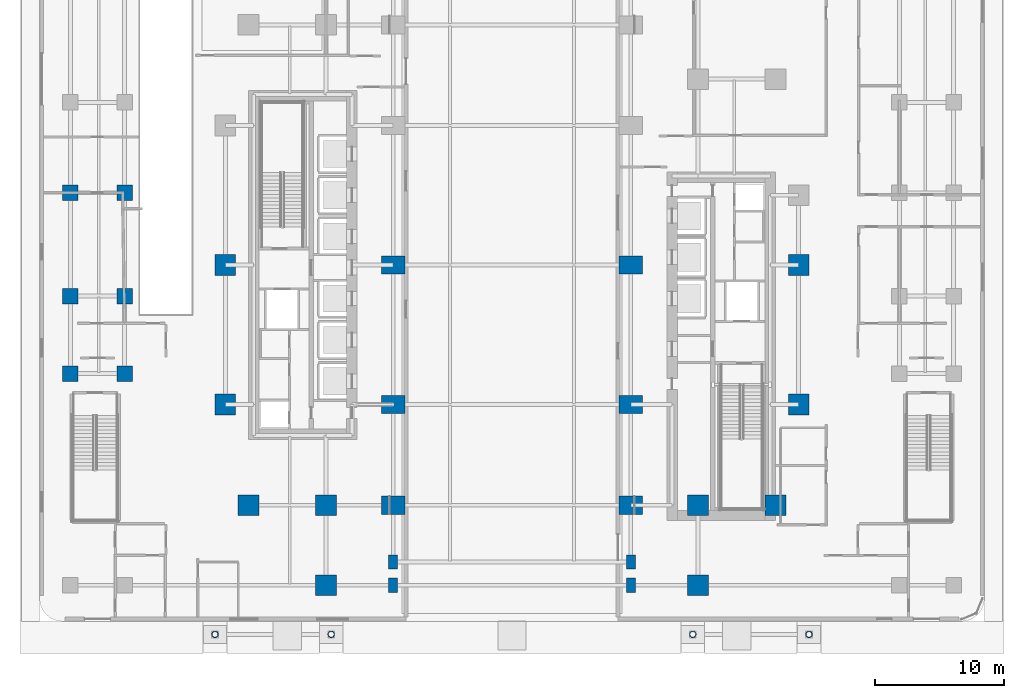
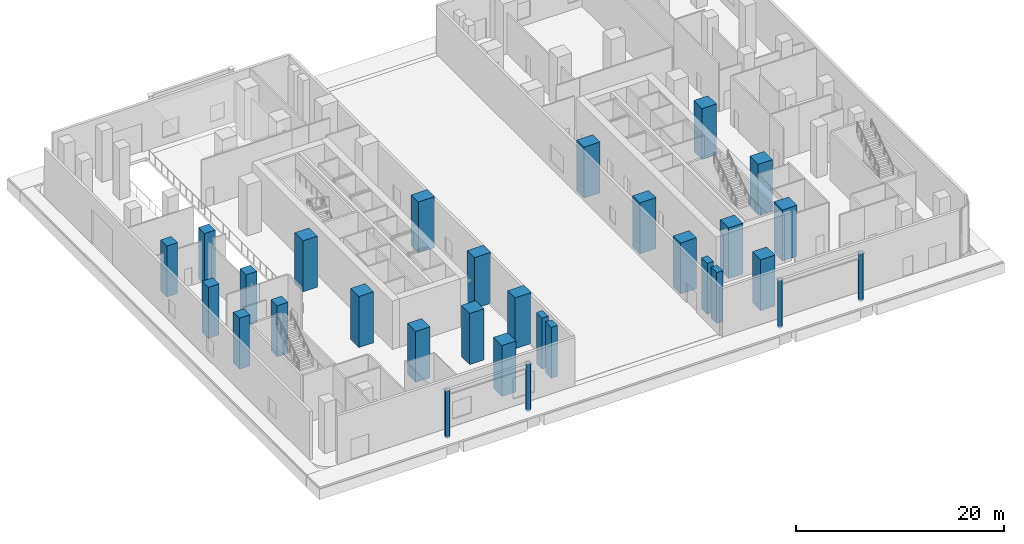
# One storey, part 2 of 22: 30 columns.
"""IFC4 building model written with IfcOpenShell, lengths in metres."""

from ifc_helpers import new_model, si_unit, direction, frame, origin, origin_2d, place, context, subcontext, project, spatial, rectangle, hollow_circle, extrude, material, material_profile, profile_set, type_object, element, save


model = new_model("IFC4")

# Units and contexts
model_context = context("Model", 3, precision=1e-05, world=origin(), true_north=direction((0.0, 1.0)))
body_context = subcontext(model_context, "Body", "Model", "MODEL_VIEW")
ifc_project = project(units=[si_unit("LENGTHUNIT", "METRE"), si_unit("AREAUNIT", "SQUARE_METRE"), si_unit("VOLUMEUNIT", "CUBIC_METRE"), si_unit("PLANEANGLEUNIT", "RADIAN"), si_unit("MASSUNIT", "GRAM", prefix="KILO")], contexts=[model_context])

# Site, building, storey
site_placement = place(None, origin())
site = spatial("IfcSite", under=ifc_project, at=site_placement, CompositionType="ELEMENT")
building_placement = place(site_placement, origin())
building = spatial("IfcBuilding", under=site, at=building_placement, Name="Khairoan Windgate Tower", CompositionType="ELEMENT")
storey_placement = place(building_placement, origin())
storey = spatial("IfcBuildingStorey", under=building, at=storey_placement, Name="L01", CompositionType="ELEMENT", Elevation=0.0)

# Columns
ifc_material_1 = material(Name="Concrete C60/75", Category="concrete")
ifc_material_profile_1 = material_profile(ifc_material_1, rectangle(XDim=0.699951171875, YDim=1.10009765625, at=origin_2d()))
ifc_profile_set_1 = profile_set([ifc_material_profile_1], Name="Concrete C60/75")
column_type_1 = type_object("IfcColumnType", Name="Arch Pilaster CP1 RC700x1100", PredefinedType="PILASTER", material=ifc_profile_set_1)
for number, where, z_axis, x_axis, name in (
    (1, (-9.199951171875, -24.800048828125, 0.0), (0.0, 0.0, 1.0), (1.0, 0.0, 0.0), "Column L01-51"),
    (2, (9.199951171875, -24.800048828125, 0.0), (0.0, 0.0, 1.0), (1.0, 0.0, 0.0), "Column L01-53"),
    (3, (-9.199951171875, -23.0, 0.0), (0.0, 0.0, 1.0), (1.0, 0.0, 0.0), "Inner Arch Pier Pilaster L01-01"),
    (4, (9.199951171875, -23.0, 0.0), (0.0, 0.0, 1.0), (1.0, 0.0, 0.0), "Inner Arch Pier Pilaster L01-03"),
):
    element("IfcColumn", number, at=place(storey_placement, frame(where, z_axis=z_axis, x_axis=x_axis)), inside=storey, type_object=column_type_1, Name=name, PredefinedType="PILASTER", context=body_context, shape_type="SweptSolid", body=[
        extrude(rectangle(XDim=0.699951171875, YDim=1.10009765625, at=origin_2d()), origin(), (0.0, 0.0, 1.0), 6.0),
    ])
ifc_material_2 = material(Name="Concrete C70/85", Category="concrete")
ifc_material_profile_2 = material_profile(ifc_material_2, rectangle(XDim=1.800048828125, YDim=1.39990234375, at=origin_2d()))
ifc_profile_set_2 = profile_set([ifc_material_profile_2], Name="Concrete C70/85")
column_type_2 = type_object("IfcColumnType", Name="Column C-AP1 RC1800x1400", PredefinedType="COLUMN", material=ifc_profile_set_2)
for number, where, z_axis, x_axis, name in (
    (5, (-9.199951171875, -18.60009765625, 0.0), (0.0, 0.0, 1.0), (1.0, 0.0, 0.0), "Column L01-01"),
    (6, (-9.199951171875, -10.800048828125, 0.0), (0.0, 0.0, 1.0), (1.0, 0.0, 0.0), "Column L01-02"),
    (7, (-9.199951171875, 0.0, 0.0), (0.0, 0.0, 1.0), (1.0, 0.0, 0.0), "Column L01-03"),
    (8, (9.199951171875, -18.60009765625, 0.0), (0.0, 0.0, 1.0), (1.0, 0.0, 0.0), "Column L01-06"),
    (9, (9.199951171875, -10.800048828125, 0.0), (0.0, 0.0, 1.0), (1.0, 0.0, 0.0), "Column L01-07"),
    (10, (9.199951171875, 0.0, 0.0), (0.0, 0.0, 1.0), (1.0, 0.0, 0.0), "Column L01-08"),
):
    element("IfcColumn", number, at=place(storey_placement, frame(where, z_axis=z_axis, x_axis=x_axis)), inside=storey, type_object=column_type_2, Name=name, PredefinedType="COLUMN", context=body_context, shape_type="SweptSolid", body=[
        extrude(rectangle(XDim=1.800048828125, YDim=1.39990234375, at=origin_2d()), origin(), (0.0, 0.0, 1.0), 6.0),
    ])
ifc_material_3 = material(Name="Concrete C70/85", Category="concrete")
ifc_material_profile_3 = material_profile(ifc_material_3, rectangle(XDim=1.60009765625, YDim=1.60009765625, at=origin_2d()))
ifc_profile_set_3 = profile_set([ifc_material_profile_3], Name="Concrete C70/85")
column_type_3 = type_object("IfcColumnType", Name="Column C-T1 RC1600x1600", PredefinedType="COLUMN", material=ifc_profile_set_3)
for number, where, z_axis, x_axis, name in (
    (11, (-20.39990234375, -18.60009765625, 0.0), (0.0, 0.0, 1.0), (1.0, 0.0, 0.0), "Column L01-11"),
    (12, (20.39990234375, -18.60009765625, 0.0), (0.0, 0.0, 1.0), (1.0, 0.0, 0.0), "Column L01-13"),
    (13, (-14.39990234375, -18.60009765625, 0.0), (0.0, 0.0, 1.0), (1.0, 0.0, 0.0), "Column L01-15"),
    (14, (14.39990234375, -18.60009765625, 0.0), (0.0, 0.0, 1.0), (1.0, 0.0, 0.0), "Column L01-17"),
    (15, (-22.199951171875, -10.800048828125, 0.0), (0.0, 0.0, 1.0), (1.0, 0.0, 0.0), "Column L01-55"),
    (16, (-22.199951171875, 0.0, 0.0), (0.0, 0.0, 1.0), (1.0, 0.0, 0.0), "Column L01-56"),
    (17, (22.199951171875, -10.800048828125, 0.0), (0.0, 0.0, 1.0), (1.0, 0.0, 0.0), "Column L01-58"),
    (18, (22.199951171875, 0.0, 0.0), (0.0, 0.0, 1.0), (1.0, 0.0, 0.0), "Column L01-59"),
    (19, (-14.39990234375, -24.800048828125, 0.0), (0.0, 0.0, 1.0), (1.0, 0.0, 0.0), "Column L01-61"),
    (20, (14.39990234375, -24.800048828125, 0.0), (0.0, 0.0, 1.0), (1.0, 0.0, 0.0), "Column L01-63"),
):
    element("IfcColumn", number, at=place(storey_placement, frame(where, z_axis=z_axis, x_axis=x_axis)), inside=storey, type_object=column_type_3, Name=name, PredefinedType="COLUMN", context=body_context, shape_type="SweptSolid", body=[
        extrude(rectangle(XDim=1.60009765625, YDim=1.60009765625, at=origin_2d()), origin(), (0.0, 0.0, 1.0), 6.0),
    ])
ifc_material_4 = material(Name="Concrete C60/75", Category="concrete")
ifc_material_profile_4 = material_profile(ifc_material_4, rectangle(XDim=1.199951171875, YDim=1.199951171875, at=origin_2d()))
ifc_profile_set_4 = profile_set([ifc_material_profile_4], Name="Concrete C60/75")
column_type_4 = type_object("IfcColumnType", Name="Column C-T3 RC1200x1200", PredefinedType="COLUMN", material=ifc_profile_set_4)
for number, where, z_axis, x_axis, name in (
    (21, (-34.199951171875, -8.39990234375, 0.0), (0.0, 0.0, 1.0), (1.0, 0.0, 0.0), "Column L01-21"),
    (22, (-34.199951171875, -2.39990234375, 0.0), (0.0, 0.0, 1.0), (1.0, 0.0, 0.0), "Column L01-22"),
    (23, (-34.199951171875, 5.60009765625, 0.0), (0.0, 0.0, 1.0), (1.0, 0.0, 0.0), "Column L01-23"),
    (24, (-30.0, -8.39990234375, 0.0), (0.0, 0.0, 1.0), (1.0, 0.0, 0.0), "Column L01-29"),
    (25, (-30.0, -2.39990234375, 0.0), (0.0, 0.0, 1.0), (1.0, 0.0, 0.0), "Column L01-30"),
    (26, (-30.0, 5.60009765625, 0.0), (0.0, 0.0, 1.0), (1.0, 0.0, 0.0), "Column L01-31"),
):
    element("IfcColumn", number, at=place(storey_placement, frame(where, z_axis=z_axis, x_axis=x_axis)), inside=storey, type_object=column_type_4, Name=name, PredefinedType="COLUMN", context=body_context, shape_type="SweptSolid", body=[
        extrude(rectangle(XDim=1.199951171875, YDim=1.199951171875, at=origin_2d()), origin(), (0.0, 0.0, 1.0), 6.0),
    ])
ifc_material_5 = material(Name="Steel S355", Category="steel")
ifc_material_profile_5 = material_profile(ifc_material_5, hollow_circle(Radius=0.25390625, WallThickness=0.02490234375, at=origin_2d()))
ifc_profile_set_5 = profile_set([ifc_material_profile_5], Name="Steel S355")
column_type_5 = type_object("IfcColumnType", Name="Steel Column SC8 CHS508x25", PredefinedType="COLUMN", material=ifc_profile_set_5)
for number, where, z_axis, x_axis, name in (
    (27, (-23.0, -28.60009765625, -0.199951171875), (0.0, 0.0, 1.0), (1.0, 0.0, 0.0), "Plaza Canopy Column S (-23.0)"),
    (28, (-14.0, -28.60009765625, -0.199951171875), (0.0, 0.0, 1.0), (1.0, 0.0, 0.0), "Plaza Canopy Column S (-14.0)"),
    (29, (14.0, -28.60009765625, -0.199951171875), (0.0, 0.0, 1.0), (1.0, 0.0, 0.0), "Plaza Canopy Column S (+14.0)"),
    (30, (23.0, -28.60009765625, -0.199951171875), (0.0, 0.0, 1.0), (1.0, 0.0, 0.0), "Plaza Canopy Column S (+23.0)"),
):
    element("IfcColumn", number, at=place(storey_placement, frame(where, z_axis=z_axis, x_axis=x_axis)), inside=storey, type_object=column_type_5, Name=name, PredefinedType="COLUMN", context=body_context, shape_type="SweptSolid", body=[
        extrude(hollow_circle(Radius=0.25390625, WallThickness=0.02490234375, at=origin_2d()), origin(), (0.0, 0.0, 1.0), 5.599853515625),
    ])

save(model, "model.ifc")
